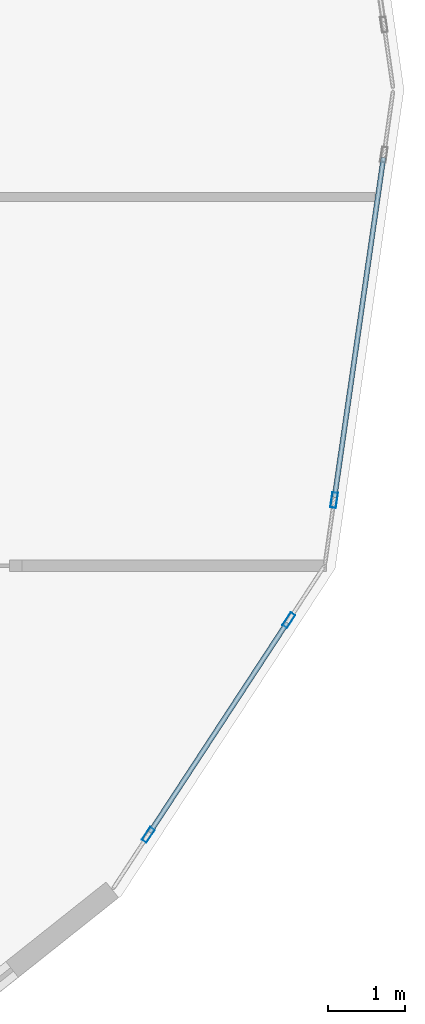
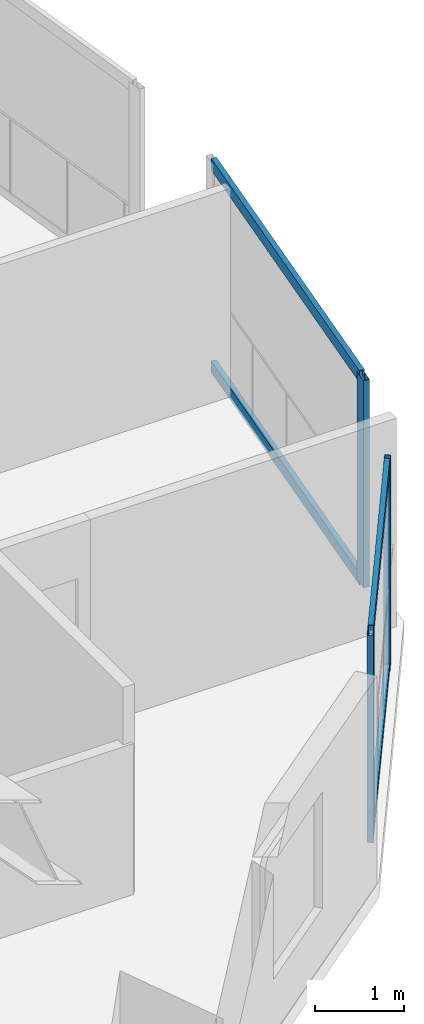
# One storey, part 3 of 14: 7 members, 2 elements without a shape of their own.
"""IFC4 building model written with IfcOpenShell, lengths in metres."""

from ifc_helpers import new_model, si_unit, direction, frame, origin, origin_2d, place, context, subcontext, project, spatial, hollow_rectangle, extrude, material, layer, layer_set, material_profile, profile_set, type_object, element, aggregate, save


model = new_model("IFC4")

# Units and contexts
model_context = context("Model", 3, precision=1e-05, world=origin(), true_north=direction((0.0, 1.0)))
body_context = subcontext(model_context, "Body", "Model", "MODEL_VIEW")
ifc_project = project(units=[si_unit("LENGTHUNIT", "METRE"), si_unit("AREAUNIT", "SQUARE_METRE"), si_unit("VOLUMEUNIT", "CUBIC_METRE"), si_unit("PLANEANGLEUNIT", "RADIAN"), si_unit("MASSUNIT", "GRAM", prefix="KILO")], contexts=[model_context])

# Site, building, storey
site_placement = place(None, origin())
site = spatial("IfcSite", under=ifc_project, at=site_placement, CompositionType="ELEMENT")
building_placement = place(site_placement, origin())
building = spatial("IfcBuilding", under=site, at=building_placement, Name="Solvane Sanctuary Tower", CompositionType="ELEMENT")
storey_placement = place(building_placement, frame((0.0, 0.0, 40.0)))
storey = spatial("IfcBuildingStorey", under=building, at=storey_placement, Name="L11", CompositionType="ELEMENT", Elevation=40.0)

# Curtain wall, members
ifc_material = material(Name="Anodised Aluminium 6063-T6", Category="aluminium")
ifc_layer = layer(ifc_material, 0.2099609375, Name="Anodised Aluminium 6063-T6")
ifc_layer_set = layer_set([ifc_layer], Name="Anodised Aluminium 6063-T6")
curtain_wall_type = type_object("IfcCurtainWallType", Name="Curtain Wall CW-PORTAL", PredefinedType="NOTDEFINED", material=ifc_layer_set)
curtain_wall_1_placement = place(storey_placement, origin())
curtain_wall_1 = element("IfcCurtainWall", 1, at=curtain_wall_1_placement, inside=storey, type_object=curtain_wall_type, Name="L11 CW-PORTAL Facade Run 22", PredefinedType="NOTDEFINED")
ifc_material_profile_1 = material_profile(ifc_material, hollow_rectangle(XDim=0.074951171875, YDim=0.199951171875, WallThickness=0.00390625, at=origin_2d()), Name="ALU200X75X4")
ifc_profile_set_1 = profile_set([ifc_material_profile_1], Name="Anodised Aluminium 6063-T6")
member_type_1 = type_object("IfcMemberType", Name="Member M-CW-MUL-1 ALU200X75X4", PredefinedType="MULLION", material=ifc_profile_set_1)
member_1_placement = place(storey_placement, frame((54.663330078125, 13.2763671875, 0.0), z_axis=(0.0, 0.0, 1.0), x_axis=(-0.836673521159, 0.547701943571, 0.0)))
member_1 = element("IfcMember", 2, at=member_1_placement, type_object=member_type_1, Name="CW-PORTAL mullion 1", PredefinedType="MULLION", context=body_context, shape_type="SweptSolid", body=[
    extrude(hollow_rectangle(XDim=0.074951171875, YDim=0.199951171875, WallThickness=0.00390625, at=origin_2d()), origin(), (0.0, 0.0, 1.0), 2.840087890625),
])
member_2_placement = place(storey_placement, frame((56.496826171875, 16.0771484375, 0.0), z_axis=(0.0, 0.0, 1.0), x_axis=(-0.836673521159, 0.547701943571, 0.0)))
member_2 = element("IfcMember", 3, at=member_2_placement, type_object=member_type_1, Name="CW-PORTAL mullion 2", PredefinedType="MULLION", context=body_context, shape_type="SweptSolid", body=[
    extrude(hollow_rectangle(XDim=0.074951171875, YDim=0.199951171875, WallThickness=0.00390625, at=origin_2d()), origin(), (0.0, 0.0, 1.0), 2.840087890625),
])

# Curtain wall, member
curtain_wall_2_placement = place(storey_placement, origin())
curtain_wall_2 = element("IfcCurtainWall", 4, at=curtain_wall_2_placement, inside=storey, type_object=curtain_wall_type, Name="L11 CW-PORTAL Facade Run 23", PredefinedType="NOTDEFINED")
member_3_placement = place(storey_placement, frame((57.088623046875, 17.643310546875, 0.0), z_axis=(0.0, 0.0, 1.0), x_axis=(-0.989794236162, 0.142503929979, 0.0)))
member_3 = element("IfcMember", 5, at=member_3_placement, type_object=member_type_1, Name="CW-PORTAL mullion 1", PredefinedType="MULLION", context=body_context, shape_type="SweptSolid", body=[
    extrude(hollow_rectangle(XDim=0.074951171875, YDim=0.199951171875, WallThickness=0.00390625, at=origin_2d()), origin(), (0.0, 0.0, 1.0), 2.840087890625),
])

# Member
ifc_material_profile_2 = material_profile(ifc_material, hollow_rectangle(XDim=0.06494140625, YDim=0.159912109375, WallThickness=0.00341796875, at=origin_2d()), Name="ALU160X65X3.5")
ifc_profile_set_2 = profile_set([ifc_material_profile_2], Name="Anodised Aluminium 6063-T6")
member_type_2 = type_object("IfcMemberType", Name="Member M-CW-TRN-1 ALU160X65X3.5", PredefinedType="USERDEFINED", material=ifc_profile_set_2)
member_4_placement = place(storey_placement, frame((54.68408203125, 13.307861328125, 0.032470703125), z_axis=(0.547673418751, 0.836692193338, 0.0), x_axis=(-0.836692193338, 0.547673418751, 0.0)))
member_4 = element("IfcMember", 6, at=member_4_placement, type_object=member_type_2, Name="CW-PORTAL transom 1.1", ObjectType="TRANSOM", PredefinedType="USERDEFINED", context=body_context, shape_type="SweptSolid", body=[
    extrude(hollow_rectangle(XDim=0.06494140625, YDim=0.159912109375, WallThickness=0.00341796875, at=origin_2d()), origin(), (0.0, 0.0, 1.0), 3.2724609375),
])

member_5_placement = place(storey_placement, frame((54.68408203125, 13.307861328125, 2.8076171875), z_axis=(0.547673418751, 0.836692193338, 0.0), x_axis=(-0.836692193338, 0.547673418751, 0.0)))
member_5 = element("IfcMember", 7, at=member_5_placement, type_object=member_type_2, Name="CW-PORTAL transom 1.2", ObjectType="TRANSOM", PredefinedType="USERDEFINED", context=body_context, shape_type="SweptSolid", body=[
    extrude(hollow_rectangle(XDim=0.06494140625, YDim=0.159912109375, WallThickness=0.00341796875, at=origin_2d()), origin(), (0.0, 0.0, 1.0), 3.2724609375),
])

aggregate(curtain_wall_1, [member_1, member_2, member_4, member_5])

member_6_placement = place(storey_placement, frame((57.093994140625, 17.680419921875, 0.032470703125), z_axis=(0.14252000847, 0.989791921156, 0.0), x_axis=(-0.989791921156, 0.14252000847, 0.0)))
member_6 = element("IfcMember", 8, at=member_6_placement, type_object=member_type_2, Name="CW-PORTAL transom 1.1", ObjectType="TRANSOM", PredefinedType="USERDEFINED", context=body_context, shape_type="SweptSolid", body=[
    extrude(hollow_rectangle(XDim=0.06494140625, YDim=0.159912109375, WallThickness=0.00341796875, at=origin_2d()), origin(), (0.0, 0.0, 1.0), 4.4794921875),
])

member_7_placement = place(storey_placement, frame((57.093994140625, 17.680419921875, 2.8076171875), z_axis=(0.14252000847, 0.989791921156, 0.0), x_axis=(-0.989791921156, 0.14252000847, 0.0)))
member_7 = element("IfcMember", 9, at=member_7_placement, type_object=member_type_2, Name="CW-PORTAL transom 1.2", ObjectType="TRANSOM", PredefinedType="USERDEFINED", context=body_context, shape_type="SweptSolid", body=[
    extrude(hollow_rectangle(XDim=0.06494140625, YDim=0.159912109375, WallThickness=0.00341796875, at=origin_2d()), origin(), (0.0, 0.0, 1.0), 4.4794921875),
])

aggregate(curtain_wall_2, [member_3, member_6, member_7])

save(model, "model.ifc")
